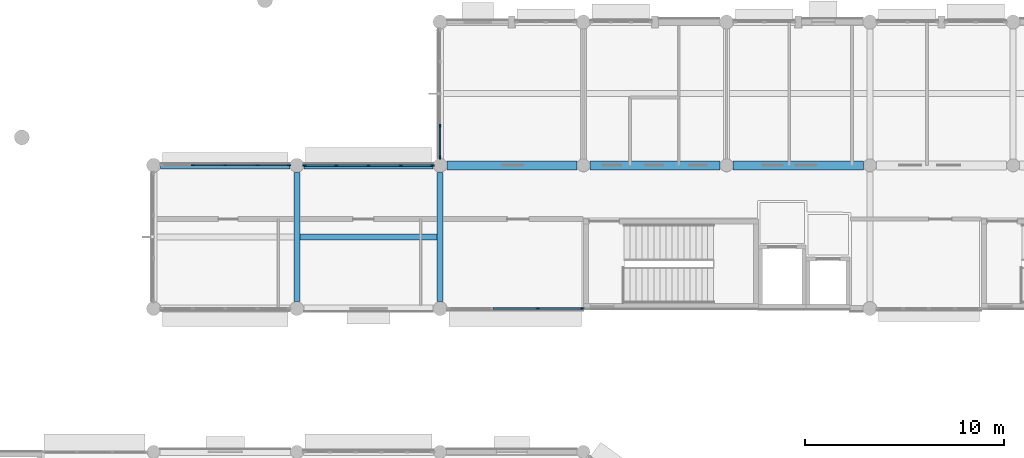
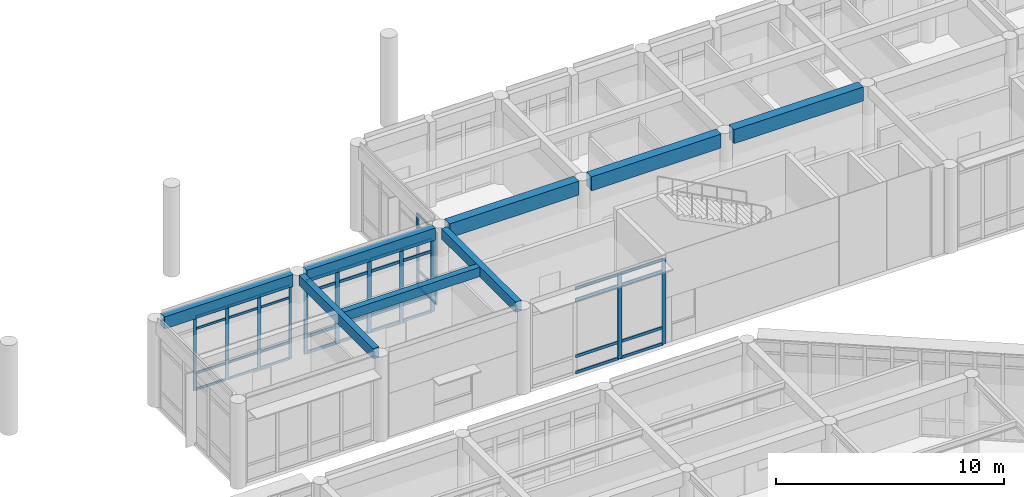
# One storey, part 21 of 92: 53 members, 8 beams, 4 elements without a shape of their own.
"""IFC4 building model written with IfcOpenShell, lengths in metres."""

from ifc_helpers import new_model, si_unit, direction, frame, origin, origin_2d, place, context, subcontext, project, spatial, rectangle, extrude, material, layer, layer_set, material_profile, profile_set, type_object, element, aggregate, save


model = new_model("IFC4")

# Units and contexts
model_context = context("Model", 3, precision=1e-05, world=origin(), true_north=direction((0.0, 1.0)))
body_context = subcontext(model_context, "Body", "Model", "MODEL_VIEW")
ifc_project = project(units=[si_unit("LENGTHUNIT", "METRE"), si_unit("AREAUNIT", "SQUARE_METRE"), si_unit("VOLUMEUNIT", "CUBIC_METRE"), si_unit("PLANEANGLEUNIT", "RADIAN"), si_unit("MASSUNIT", "GRAM", prefix="KILO")], contexts=[model_context])

# Site, building, storey
site_placement = place(None, origin())
site = spatial("IfcSite", under=ifc_project, at=site_placement, CompositionType="ELEMENT")
building_placement = place(site_placement, origin())
building = spatial("IfcBuilding", under=site, at=building_placement, Name="Namkhue Oval Health Centre", CompositionType="ELEMENT")
storey_placement = place(building_placement, frame((0.0, 0.0, 4.800048828125)))
storey = spatial("IfcBuildingStorey", under=building, at=storey_placement, Name="L01", CompositionType="ELEMENT", Elevation=4.800048828125)

# Curtain wall, members
ifc_material_1 = material(Name="Anodised aluminium EN AW-6063 T6", Category="aluminium")
ifc_layer_1 = layer(ifc_material_1, 0.159912109375)
ifc_layer_set_1 = layer_set([ifc_layer_1], Name="Anodised aluminium EN AW-6063 T6")
curtain_wall_type_1 = type_object("IfcCurtainWallType", Name="UNITISED CURTAIN WALL M1500", PredefinedType="NOTDEFINED", material=ifc_layer_set_1)
curtain_wall_1_placement = place(storey_placement, origin())
curtain_wall_1 = element("IfcCurtainWall", 1, at=curtain_wall_1_placement, inside=storey, type_object=curtain_wall_type_1, Name="Volume V2 L01 Unitised Curtain Wall 57", PredefinedType="NOTDEFINED")
ifc_material_profile_1 = material_profile(ifc_material_1, rectangle(XDim=0.06494140625, YDim=0.159912109375, at=origin_2d()), Name="ALU 65x160")
ifc_profile_set_1 = profile_set([ifc_material_profile_1], Name="Anodised aluminium EN AW-6063 T6")
member_type_1 = type_object("IfcMemberType", Name="CURTAIN WALL MULLION 65X160", PredefinedType="MULLION", material=ifc_profile_set_1)
member_1_placement = place(storey_placement, frame((50.39990234375, 99.179931640625, 0.0), z_axis=(0.0, 0.0, 1.0), x_axis=(1.0, 0.0, 0.0)))
member_1 = element("IfcMember", 2, at=member_1_placement, type_object=member_type_1, Name="CW-03 mullion 4", PredefinedType="MULLION", context=body_context, shape_type="SweptSolid", body=[
    extrude(rectangle(XDim=0.06494140625, YDim=0.159912109375, at=origin_2d()), origin(), (0.0, 0.0, 1.0), 3.905029296875),
])
member_2_placement = place(storey_placement, frame((50.39990234375, 97.592529296875, 0.0), z_axis=(0.0, 0.0, 1.0), x_axis=(1.0, 0.0, 0.0)))
member_2 = element("IfcMember", 3, at=member_2_placement, type_object=member_type_1, Name="CW-03 mullion 5", PredefinedType="MULLION", context=body_context, shape_type="SweptSolid", body=[
    extrude(rectangle(XDim=0.06494140625, YDim=0.159912109375, at=origin_2d()), origin(), (0.0, 0.0, 1.0), 3.905029296875),
])

ifc_layer_2 = layer(ifc_material_1, 0.159912109375)
ifc_layer_set_2 = layer_set([ifc_layer_2], Name="Anodised aluminium EN AW-6063 T6")
curtain_wall_type_2 = type_object("IfcCurtainWallType", Name="UNITISED CURTAIN WALL M1800", PredefinedType="NOTDEFINED", material=ifc_layer_set_2)
curtain_wall_2_placement = place(storey_placement, origin())
curtain_wall_2 = element("IfcCurtainWall", 4, at=curtain_wall_2_placement, inside=storey, type_object=curtain_wall_type_2, Name="Volume V2 L01 Unitised Curtain Wall 59", PredefinedType="NOTDEFINED")
member_3_placement = place(storey_placement, frame((42.8076171875, 97.199951171875, 0.0), z_axis=(0.0, 0.0, 1.0), x_axis=(0.0, -1.0, 0.0)))
member_3 = element("IfcMember", 5, at=member_3_placement, type_object=member_type_1, Name="CW-05 mullion 1", PredefinedType="MULLION", context=body_context, shape_type="SweptSolid", body=[
    extrude(rectangle(XDim=0.06494140625, YDim=0.159912109375, at=origin_2d()), origin(), (0.0, 0.0, 1.0), 3.93505859375),
])
member_4_placement = place(storey_placement, frame((41.219970703125, 97.199951171875, 0.0), z_axis=(0.0, 0.0, 1.0), x_axis=(0.0, -1.0, 0.0)))
member_4 = element("IfcMember", 6, at=member_4_placement, type_object=member_type_1, Name="CW-05 mullion 2", PredefinedType="MULLION", context=body_context, shape_type="SweptSolid", body=[
    extrude(rectangle(XDim=0.06494140625, YDim=0.159912109375, at=origin_2d()), origin(), (0.0, 0.0, 1.0), 3.93505859375),
])
member_5_placement = place(storey_placement, frame((39.60009765625, 97.199951171875, 0.0), z_axis=(0.0, 0.0, 1.0), x_axis=(0.0, -1.0, 0.0)))
member_5 = element("IfcMember", 7, at=member_5_placement, type_object=member_type_1, Name="CW-05 mullion 3", PredefinedType="MULLION", context=body_context, shape_type="SweptSolid", body=[
    extrude(rectangle(XDim=0.06494140625, YDim=0.159912109375, at=origin_2d()), origin(), (0.0, 0.0, 1.0), 3.93505859375),
])
member_6_placement = place(storey_placement, frame((37.97998046875, 97.199951171875, 0.0), z_axis=(0.0, 0.0, 1.0), x_axis=(0.0, -1.0, 0.0)))
member_6 = element("IfcMember", 8, at=member_6_placement, type_object=member_type_1, Name="CW-05 mullion 4", PredefinedType="MULLION", context=body_context, shape_type="SweptSolid", body=[
    extrude(rectangle(XDim=0.06494140625, YDim=0.159912109375, at=origin_2d()), origin(), (0.0, 0.0, 1.0), 3.93505859375),
])

ifc_layer_3 = layer(ifc_material_1, 0.159912109375)
ifc_layer_set_3 = layer_set([ifc_layer_3], Name="Anodised aluminium EN AW-6063 T6")
curtain_wall_type_3 = type_object("IfcCurtainWallType", Name="UNITISED CURTAIN WALL M2000", PredefinedType="NOTDEFINED", material=ifc_layer_set_3)
curtain_wall_3_placement = place(storey_placement, origin())
curtain_wall_3 = element("IfcCurtainWall", 9, at=curtain_wall_3_placement, inside=storey, type_object=curtain_wall_type_3, Name="Volume V2 L01 Unitised Curtain Wall 48", PredefinedType="NOTDEFINED")
ifc_material_profile_2 = material_profile(ifc_material_1, rectangle(XDim=0.074951171875, YDim=0.199951171875, at=origin_2d()), Name="ALU 75x200")
ifc_profile_set_2 = profile_set([ifc_material_profile_2], Name="Anodised aluminium EN AW-6063 T6")
member_type_2 = type_object("IfcMemberType", Name="CURTAIN WALL MULLION 75X200", PredefinedType="MULLION", material=ifc_profile_set_2)
member_7_placement = place(storey_placement, frame((55.30859375, 90.0, 0.0), z_axis=(0.0, 0.0, 1.0), x_axis=(0.0, 1.0, 0.0)))
member_7 = element("IfcMember", 10, at=member_7_placement, type_object=member_type_2, Name="CW-06 mullion 3", PredefinedType="MULLION", context=body_context, shape_type="SweptSolid", body=[
    extrude(rectangle(XDim=0.074951171875, YDim=0.199951171875, at=origin_2d()), origin(), (0.0, 0.0, 1.0), 4.554931640625),
])
member_8_placement = place(storey_placement, frame((57.54541015625, 90.0, 0.0), z_axis=(0.0, 0.0, 1.0), x_axis=(0.0, 1.0, 0.0)))
member_8 = element("IfcMember", 11, at=member_8_placement, type_object=member_type_2, Name="CW-06 mullion 4", PredefinedType="MULLION", context=body_context, shape_type="SweptSolid", body=[
    extrude(rectangle(XDim=0.074951171875, YDim=0.199951171875, at=origin_2d()), origin(), (0.0, 0.0, 1.0), 4.554931640625),
])

ifc_layer_4 = layer(ifc_material_1, 0.159912109375)
ifc_layer_set_4 = layer_set([ifc_layer_4], Name="Anodised aluminium EN AW-6063 T6")
curtain_wall_type_4 = type_object("IfcCurtainWallType", Name="UNITISED CURTAIN WALL M1600", PredefinedType="NOTDEFINED", material=ifc_layer_set_4)
curtain_wall_4_placement = place(storey_placement, origin())
curtain_wall_4 = element("IfcCurtainWall", 12, at=curtain_wall_4_placement, inside=storey, type_object=curtain_wall_type_4, Name="Volume V2 L01 Unitised Curtain Wall 58", PredefinedType="NOTDEFINED")
member_9_placement = place(storey_placement, frame((50.00244140625, 97.199951171875, 0.0), z_axis=(0.0, 0.0, 1.0), x_axis=(0.0, -1.0, 0.0)))
member_9 = element("IfcMember", 13, at=member_9_placement, type_object=member_type_2, Name="CW-04 mullion 1", PredefinedType="MULLION", context=body_context, shape_type="SweptSolid", body=[
    extrude(rectangle(XDim=0.074951171875, YDim=0.199951171875, at=origin_2d()), origin(), (0.0, 0.0, 1.0), 3.905029296875),
])
member_10_placement = place(storey_placement, frame((48.419921875, 97.199951171875, 0.0), z_axis=(0.0, 0.0, 1.0), x_axis=(0.0, -1.0, 0.0)))
member_10 = element("IfcMember", 14, at=member_10_placement, type_object=member_type_2, Name="CW-04 mullion 2", PredefinedType="MULLION", context=body_context, shape_type="SweptSolid", body=[
    extrude(rectangle(XDim=0.074951171875, YDim=0.199951171875, at=origin_2d()), origin(), (0.0, 0.0, 1.0), 3.905029296875),
])
member_11_placement = place(storey_placement, frame((46.800048828125, 97.199951171875, 0.0), z_axis=(0.0, 0.0, 1.0), x_axis=(0.0, -1.0, 0.0)))
member_11 = element("IfcMember", 15, at=member_11_placement, type_object=member_type_2, Name="CW-04 mullion 3", PredefinedType="MULLION", context=body_context, shape_type="SweptSolid", body=[
    extrude(rectangle(XDim=0.074951171875, YDim=0.199951171875, at=origin_2d()), origin(), (0.0, 0.0, 1.0), 3.905029296875),
])
member_12_placement = place(storey_placement, frame((45.179931640625, 97.199951171875, 0.0), z_axis=(0.0, 0.0, 1.0), x_axis=(0.0, -1.0, 0.0)))
member_12 = element("IfcMember", 16, at=member_12_placement, type_object=member_type_2, Name="CW-04 mullion 4", PredefinedType="MULLION", context=body_context, shape_type="SweptSolid", body=[
    extrude(rectangle(XDim=0.074951171875, YDim=0.199951171875, at=origin_2d()), origin(), (0.0, 0.0, 1.0), 3.905029296875),
])
member_13_placement = place(storey_placement, frame((43.597412109375, 97.199951171875, 0.0), z_axis=(0.0, 0.0, 1.0), x_axis=(0.0, -1.0, 0.0)))
member_13 = element("IfcMember", 17, at=member_13_placement, type_object=member_type_2, Name="CW-04 mullion 5", PredefinedType="MULLION", context=body_context, shape_type="SweptSolid", body=[
    extrude(rectangle(XDim=0.074951171875, YDim=0.199951171875, at=origin_2d()), origin(), (0.0, 0.0, 1.0), 3.905029296875),
])

# Member
ifc_material_profile_3 = material_profile(ifc_material_1, rectangle(XDim=0.06494140625, YDim=0.1201171875, at=origin_2d()), Name="ALU 65x120")
ifc_profile_set_3 = profile_set([ifc_material_profile_3], Name="Anodised aluminium EN AW-6063 T6")
member_type_3 = type_object("IfcMemberType", Name="CURTAIN WALL TRANSOM 65X120", PredefinedType="USERDEFINED", material=ifc_profile_set_3)
member_14_placement = place(storey_placement, frame((50.39990234375, 99.1474609375, 0.032470703125), z_axis=(0.0, -1.0, 0.0), x_axis=(1.0, 0.0, 0.0)))
member_14 = element("IfcMember", 18, at=member_14_placement, type_object=member_type_3, Name="CW-03 transom 4.1", ObjectType="TRANSOM", PredefinedType="USERDEFINED", context=body_context, shape_type="SweptSolid", body=[
    extrude(rectangle(XDim=0.06494140625, YDim=0.1201171875, at=origin_2d()), origin(), (0.0, 0.0, 1.0), 1.5224609375),
])

member_15_placement = place(storey_placement, frame((50.39990234375, 99.1474609375, 0.89990234375), z_axis=(0.0, -1.0, 0.0), x_axis=(1.0, 0.0, 0.0)))
member_15 = element("IfcMember", 19, at=member_15_placement, type_object=member_type_3, Name="CW-03 transom 4.2", ObjectType="TRANSOM", PredefinedType="USERDEFINED", context=body_context, shape_type="SweptSolid", body=[
    extrude(rectangle(XDim=0.06494140625, YDim=0.1201171875, at=origin_2d()), origin(), (0.0, 0.0, 1.0), 1.5224609375),
])

member_16_placement = place(storey_placement, frame((50.39990234375, 99.1474609375, 3.2548828125), z_axis=(0.0, -1.0, 0.0), x_axis=(1.0, 0.0, 0.0)))
member_16 = element("IfcMember", 20, at=member_16_placement, type_object=member_type_3, Name="CW-03 transom 4.3", ObjectType="TRANSOM", PredefinedType="USERDEFINED", context=body_context, shape_type="SweptSolid", body=[
    extrude(rectangle(XDim=0.06494140625, YDim=0.1201171875, at=origin_2d()), origin(), (0.0, 0.0, 1.0), 1.5224609375),
])

member_17_placement = place(storey_placement, frame((50.39990234375, 99.1474609375, 3.87255859375), z_axis=(0.0, -1.0, 0.0), x_axis=(1.0, 0.0, 0.0)))
member_17 = element("IfcMember", 21, at=member_17_placement, type_object=member_type_3, Name="CW-03 transom 4.4", ObjectType="TRANSOM", PredefinedType="USERDEFINED", context=body_context, shape_type="SweptSolid", body=[
    extrude(rectangle(XDim=0.06494140625, YDim=0.1201171875, at=origin_2d()), origin(), (0.0, 0.0, 1.0), 1.5224609375),
])

aggregate(curtain_wall_1, [member_1, member_2, member_14, member_15, member_16, member_17])

member_18_placement = place(storey_placement, frame((42.77490234375, 97.199951171875, 0.032470703125), z_axis=(-1.0, 0.0, 0.0), x_axis=(0.0, -1.0, 0.0)))
member_18 = element("IfcMember", 22, at=member_18_placement, type_object=member_type_3, Name="CW-05 transom 1.1", ObjectType="TRANSOM", PredefinedType="USERDEFINED", context=body_context, shape_type="SweptSolid", body=[
    extrude(rectangle(XDim=0.06494140625, YDim=0.1201171875, at=origin_2d()), origin(), (0.0, 0.0, 1.0), 1.5224609375),
])

member_19_placement = place(storey_placement, frame((42.77490234375, 97.199951171875, 0.89990234375), z_axis=(-1.0, 0.0, 0.0), x_axis=(0.0, -1.0, 0.0)))
member_19 = element("IfcMember", 23, at=member_19_placement, type_object=member_type_3, Name="CW-05 transom 1.2", ObjectType="TRANSOM", PredefinedType="USERDEFINED", context=body_context, shape_type="SweptSolid", body=[
    extrude(rectangle(XDim=0.06494140625, YDim=0.1201171875, at=origin_2d()), origin(), (0.0, 0.0, 1.0), 1.5224609375),
])

member_20_placement = place(storey_placement, frame((42.77490234375, 97.199951171875, 3.284912109375), z_axis=(-1.0, 0.0, 0.0), x_axis=(0.0, -1.0, 0.0)))
member_20 = element("IfcMember", 24, at=member_20_placement, type_object=member_type_3, Name="CW-05 transom 1.3", ObjectType="TRANSOM", PredefinedType="USERDEFINED", context=body_context, shape_type="SweptSolid", body=[
    extrude(rectangle(XDim=0.06494140625, YDim=0.1201171875, at=origin_2d()), origin(), (0.0, 0.0, 1.0), 1.5224609375),
])

member_21_placement = place(storey_placement, frame((42.77490234375, 97.199951171875, 3.90234375), z_axis=(-1.0, 0.0, 0.0), x_axis=(0.0, -1.0, 0.0)))
member_21 = element("IfcMember", 25, at=member_21_placement, type_object=member_type_3, Name="CW-05 transom 1.4", ObjectType="TRANSOM", PredefinedType="USERDEFINED", context=body_context, shape_type="SweptSolid", body=[
    extrude(rectangle(XDim=0.06494140625, YDim=0.1201171875, at=origin_2d()), origin(), (0.0, 0.0, 1.0), 1.5224609375),
])

member_22_placement = place(storey_placement, frame((41.1875, 97.199951171875, 0.032470703125), z_axis=(-1.0, 0.0, 0.0), x_axis=(0.0, -1.0, 0.0)))
member_22 = element("IfcMember", 26, at=member_22_placement, type_object=member_type_3, Name="CW-05 transom 2.1", ObjectType="TRANSOM", PredefinedType="USERDEFINED", context=body_context, shape_type="SweptSolid", body=[
    extrude(rectangle(XDim=0.06494140625, YDim=0.1201171875, at=origin_2d()), origin(), (0.0, 0.0, 1.0), 1.554931640625),
])

member_23_placement = place(storey_placement, frame((41.1875, 97.199951171875, 0.89990234375), z_axis=(-1.0, 0.0, 0.0), x_axis=(0.0, -1.0, 0.0)))
member_23 = element("IfcMember", 27, at=member_23_placement, type_object=member_type_3, Name="CW-05 transom 2.2", ObjectType="TRANSOM", PredefinedType="USERDEFINED", context=body_context, shape_type="SweptSolid", body=[
    extrude(rectangle(XDim=0.06494140625, YDim=0.1201171875, at=origin_2d()), origin(), (0.0, 0.0, 1.0), 1.554931640625),
])

member_24_placement = place(storey_placement, frame((41.1875, 97.199951171875, 3.284912109375), z_axis=(-1.0, 0.0, 0.0), x_axis=(0.0, -1.0, 0.0)))
member_24 = element("IfcMember", 28, at=member_24_placement, type_object=member_type_3, Name="CW-05 transom 2.3", ObjectType="TRANSOM", PredefinedType="USERDEFINED", context=body_context, shape_type="SweptSolid", body=[
    extrude(rectangle(XDim=0.06494140625, YDim=0.1201171875, at=origin_2d()), origin(), (0.0, 0.0, 1.0), 1.554931640625),
])

member_25_placement = place(storey_placement, frame((41.1875, 97.199951171875, 3.90234375), z_axis=(-1.0, 0.0, 0.0), x_axis=(0.0, -1.0, 0.0)))
member_25 = element("IfcMember", 29, at=member_25_placement, type_object=member_type_3, Name="CW-05 transom 2.4", ObjectType="TRANSOM", PredefinedType="USERDEFINED", context=body_context, shape_type="SweptSolid", body=[
    extrude(rectangle(XDim=0.06494140625, YDim=0.1201171875, at=origin_2d()), origin(), (0.0, 0.0, 1.0), 1.554931640625),
])

member_26_placement = place(storey_placement, frame((39.5673828125, 97.199951171875, 0.032470703125), z_axis=(-1.0, 0.0, 0.0), x_axis=(0.0, -1.0, 0.0)))
member_26 = element("IfcMember", 30, at=member_26_placement, type_object=member_type_3, Name="CW-05 transom 3.1", ObjectType="TRANSOM", PredefinedType="USERDEFINED", context=body_context, shape_type="SweptSolid", body=[
    extrude(rectangle(XDim=0.06494140625, YDim=0.1201171875, at=origin_2d()), origin(), (0.0, 0.0, 1.0), 1.554931640625),
])

member_27_placement = place(storey_placement, frame((39.5673828125, 97.199951171875, 0.89990234375), z_axis=(-1.0, 0.0, 0.0), x_axis=(0.0, -1.0, 0.0)))
member_27 = element("IfcMember", 31, at=member_27_placement, type_object=member_type_3, Name="CW-05 transom 3.2", ObjectType="TRANSOM", PredefinedType="USERDEFINED", context=body_context, shape_type="SweptSolid", body=[
    extrude(rectangle(XDim=0.06494140625, YDim=0.1201171875, at=origin_2d()), origin(), (0.0, 0.0, 1.0), 1.554931640625),
])

member_28_placement = place(storey_placement, frame((39.5673828125, 97.199951171875, 3.284912109375), z_axis=(-1.0, 0.0, 0.0), x_axis=(0.0, -1.0, 0.0)))
member_28 = element("IfcMember", 32, at=member_28_placement, type_object=member_type_3, Name="CW-05 transom 3.3", ObjectType="TRANSOM", PredefinedType="USERDEFINED", context=body_context, shape_type="SweptSolid", body=[
    extrude(rectangle(XDim=0.06494140625, YDim=0.1201171875, at=origin_2d()), origin(), (0.0, 0.0, 1.0), 1.554931640625),
])

member_29_placement = place(storey_placement, frame((39.5673828125, 97.199951171875, 3.90234375), z_axis=(-1.0, 0.0, 0.0), x_axis=(0.0, -1.0, 0.0)))
member_29 = element("IfcMember", 33, at=member_29_placement, type_object=member_type_3, Name="CW-05 transom 3.4", ObjectType="TRANSOM", PredefinedType="USERDEFINED", context=body_context, shape_type="SweptSolid", body=[
    extrude(rectangle(XDim=0.06494140625, YDim=0.1201171875, at=origin_2d()), origin(), (0.0, 0.0, 1.0), 1.554931640625),
])

aggregate(curtain_wall_2, [member_3, member_4, member_5, member_6, member_18, member_19, member_20, member_21, member_22, member_23, member_24, member_25, member_26, member_27, member_28, member_29])

ifc_material_profile_4 = material_profile(ifc_material_1, rectangle(XDim=0.074951171875, YDim=0.14990234375, at=origin_2d()), Name="ALU 75x150")
ifc_profile_set_4 = profile_set([ifc_material_profile_4], Name="Anodised aluminium EN AW-6063 T6")
member_type_4 = type_object("IfcMemberType", Name="CURTAIN WALL TRANSOM 75X150", PredefinedType="USERDEFINED", material=ifc_profile_set_4)
member_30_placement = place(storey_placement, frame((53.07177734375, 90.0, 0.037353515625), z_axis=(1.0, 0.0, 0.0), x_axis=(0.0, 1.0, 0.0)))
member_30 = element("IfcMember", 34, at=member_30_placement, type_object=member_type_4, Name="CW-06 transom 2.1", ObjectType="TRANSOM", PredefinedType="USERDEFINED", context=body_context, shape_type="SweptSolid", body=[
    extrude(rectangle(XDim=0.074951171875, YDim=0.14990234375, at=origin_2d()), origin(), (0.0, 0.0, 1.0), 2.199462890625),
])

member_31_placement = place(storey_placement, frame((53.07177734375, 90.0, 0.89990234375), z_axis=(1.0, 0.0, 0.0), x_axis=(0.0, 1.0, 0.0)))
member_31 = element("IfcMember", 35, at=member_31_placement, type_object=member_type_4, Name="CW-06 transom 2.2", ObjectType="TRANSOM", PredefinedType="USERDEFINED", context=body_context, shape_type="SweptSolid", body=[
    extrude(rectangle(XDim=0.074951171875, YDim=0.14990234375, at=origin_2d()), origin(), (0.0, 0.0, 1.0), 2.199462890625),
])

member_32_placement = place(storey_placement, frame((53.07177734375, 90.0, 3.905029296875), z_axis=(1.0, 0.0, 0.0), x_axis=(0.0, 1.0, 0.0)))
member_32 = element("IfcMember", 36, at=member_32_placement, type_object=member_type_4, Name="CW-06 transom 2.3", ObjectType="TRANSOM", PredefinedType="USERDEFINED", context=body_context, shape_type="SweptSolid", body=[
    extrude(rectangle(XDim=0.074951171875, YDim=0.14990234375, at=origin_2d()), origin(), (0.0, 0.0, 1.0), 2.199462890625),
])

member_33_placement = place(storey_placement, frame((53.07177734375, 90.0, 4.517333984375), z_axis=(1.0, 0.0, 0.0), x_axis=(0.0, 1.0, 0.0)))
member_33 = element("IfcMember", 37, at=member_33_placement, type_object=member_type_4, Name="CW-06 transom 2.4", ObjectType="TRANSOM", PredefinedType="USERDEFINED", context=body_context, shape_type="SweptSolid", body=[
    extrude(rectangle(XDim=0.074951171875, YDim=0.14990234375, at=origin_2d()), origin(), (0.0, 0.0, 1.0), 2.199462890625),
])

member_34_placement = place(storey_placement, frame((55.34619140625, 90.0, 0.037353515625), z_axis=(1.0, 0.0, 0.0), x_axis=(0.0, 1.0, 0.0)))
member_34 = element("IfcMember", 38, at=member_34_placement, type_object=member_type_4, Name="CW-06 transom 3.1", ObjectType="TRANSOM", PredefinedType="USERDEFINED", context=body_context, shape_type="SweptSolid", body=[
    extrude(rectangle(XDim=0.074951171875, YDim=0.14990234375, at=origin_2d()), origin(), (0.0, 0.0, 1.0), 2.161865234375),
])

member_35_placement = place(storey_placement, frame((55.34619140625, 90.0, 0.89990234375), z_axis=(1.0, 0.0, 0.0), x_axis=(0.0, 1.0, 0.0)))
member_35 = element("IfcMember", 39, at=member_35_placement, type_object=member_type_4, Name="CW-06 transom 3.2", ObjectType="TRANSOM", PredefinedType="USERDEFINED", context=body_context, shape_type="SweptSolid", body=[
    extrude(rectangle(XDim=0.074951171875, YDim=0.14990234375, at=origin_2d()), origin(), (0.0, 0.0, 1.0), 2.161865234375),
])

member_36_placement = place(storey_placement, frame((55.34619140625, 90.0, 3.905029296875), z_axis=(1.0, 0.0, 0.0), x_axis=(0.0, 1.0, 0.0)))
member_36 = element("IfcMember", 40, at=member_36_placement, type_object=member_type_4, Name="CW-06 transom 3.3", ObjectType="TRANSOM", PredefinedType="USERDEFINED", context=body_context, shape_type="SweptSolid", body=[
    extrude(rectangle(XDim=0.074951171875, YDim=0.14990234375, at=origin_2d()), origin(), (0.0, 0.0, 1.0), 2.161865234375),
])

member_37_placement = place(storey_placement, frame((55.34619140625, 90.0, 4.517333984375), z_axis=(1.0, 0.0, 0.0), x_axis=(0.0, 1.0, 0.0)))
member_37 = element("IfcMember", 41, at=member_37_placement, type_object=member_type_4, Name="CW-06 transom 3.4", ObjectType="TRANSOM", PredefinedType="USERDEFINED", context=body_context, shape_type="SweptSolid", body=[
    extrude(rectangle(XDim=0.074951171875, YDim=0.14990234375, at=origin_2d()), origin(), (0.0, 0.0, 1.0), 2.161865234375),
])

aggregate(curtain_wall_3, [member_7, member_8, member_30, member_31, member_32, member_33, member_34, member_35, member_36, member_37])

member_38_placement = place(storey_placement, frame((49.965087890625, 97.199951171875, 0.037353515625), z_axis=(-1.0, 0.0, 0.0), x_axis=(0.0, -1.0, 0.0)))
member_38 = element("IfcMember", 42, at=member_38_placement, type_object=member_type_4, Name="CW-04 transom 1.1", ObjectType="TRANSOM", PredefinedType="USERDEFINED", context=body_context, shape_type="SweptSolid", body=[
    extrude(rectangle(XDim=0.074951171875, YDim=0.14990234375, at=origin_2d()), origin(), (0.0, 0.0, 1.0), 1.507568359375),
])

member_39_placement = place(storey_placement, frame((49.965087890625, 97.199951171875, 0.89990234375), z_axis=(-1.0, 0.0, 0.0), x_axis=(0.0, -1.0, 0.0)))
member_39 = element("IfcMember", 43, at=member_39_placement, type_object=member_type_4, Name="CW-04 transom 1.2", ObjectType="TRANSOM", PredefinedType="USERDEFINED", context=body_context, shape_type="SweptSolid", body=[
    extrude(rectangle(XDim=0.074951171875, YDim=0.14990234375, at=origin_2d()), origin(), (0.0, 0.0, 1.0), 1.507568359375),
])

member_40_placement = place(storey_placement, frame((49.965087890625, 97.199951171875, 3.2548828125), z_axis=(-1.0, 0.0, 0.0), x_axis=(0.0, -1.0, 0.0)))
member_40 = element("IfcMember", 44, at=member_40_placement, type_object=member_type_4, Name="CW-04 transom 1.3", ObjectType="TRANSOM", PredefinedType="USERDEFINED", context=body_context, shape_type="SweptSolid", body=[
    extrude(rectangle(XDim=0.074951171875, YDim=0.14990234375, at=origin_2d()), origin(), (0.0, 0.0, 1.0), 1.507568359375),
])

member_41_placement = place(storey_placement, frame((49.965087890625, 97.199951171875, 3.867431640625), z_axis=(-1.0, 0.0, 0.0), x_axis=(0.0, -1.0, 0.0)))
member_41 = element("IfcMember", 45, at=member_41_placement, type_object=member_type_4, Name="CW-04 transom 1.4", ObjectType="TRANSOM", PredefinedType="USERDEFINED", context=body_context, shape_type="SweptSolid", body=[
    extrude(rectangle(XDim=0.074951171875, YDim=0.14990234375, at=origin_2d()), origin(), (0.0, 0.0, 1.0), 1.507568359375),
])

member_42_placement = place(storey_placement, frame((48.382568359375, 97.199951171875, 0.037353515625), z_axis=(-1.0, 0.0, 0.0), x_axis=(0.0, -1.0, 0.0)))
member_42 = element("IfcMember", 46, at=member_42_placement, type_object=member_type_4, Name="CW-04 transom 2.1", ObjectType="TRANSOM", PredefinedType="USERDEFINED", context=body_context, shape_type="SweptSolid", body=[
    extrude(rectangle(XDim=0.074951171875, YDim=0.14990234375, at=origin_2d()), origin(), (0.0, 0.0, 1.0), 1.545166015625),
])

member_43_placement = place(storey_placement, frame((48.382568359375, 97.199951171875, 0.89990234375), z_axis=(-1.0, 0.0, 0.0), x_axis=(0.0, -1.0, 0.0)))
member_43 = element("IfcMember", 47, at=member_43_placement, type_object=member_type_4, Name="CW-04 transom 2.2", ObjectType="TRANSOM", PredefinedType="USERDEFINED", context=body_context, shape_type="SweptSolid", body=[
    extrude(rectangle(XDim=0.074951171875, YDim=0.14990234375, at=origin_2d()), origin(), (0.0, 0.0, 1.0), 1.545166015625),
])

member_44_placement = place(storey_placement, frame((48.382568359375, 97.199951171875, 3.2548828125), z_axis=(-1.0, 0.0, 0.0), x_axis=(0.0, -1.0, 0.0)))
member_44 = element("IfcMember", 48, at=member_44_placement, type_object=member_type_4, Name="CW-04 transom 2.3", ObjectType="TRANSOM", PredefinedType="USERDEFINED", context=body_context, shape_type="SweptSolid", body=[
    extrude(rectangle(XDim=0.074951171875, YDim=0.14990234375, at=origin_2d()), origin(), (0.0, 0.0, 1.0), 1.545166015625),
])

member_45_placement = place(storey_placement, frame((48.382568359375, 97.199951171875, 3.867431640625), z_axis=(-1.0, 0.0, 0.0), x_axis=(0.0, -1.0, 0.0)))
member_45 = element("IfcMember", 49, at=member_45_placement, type_object=member_type_4, Name="CW-04 transom 2.4", ObjectType="TRANSOM", PredefinedType="USERDEFINED", context=body_context, shape_type="SweptSolid", body=[
    extrude(rectangle(XDim=0.074951171875, YDim=0.14990234375, at=origin_2d()), origin(), (0.0, 0.0, 1.0), 1.545166015625),
])

member_46_placement = place(storey_placement, frame((46.762451171875, 97.199951171875, 0.037353515625), z_axis=(-1.0, 0.0, 0.0), x_axis=(0.0, -1.0, 0.0)))
member_46 = element("IfcMember", 50, at=member_46_placement, type_object=member_type_4, Name="CW-04 transom 3.1", ObjectType="TRANSOM", PredefinedType="USERDEFINED", context=body_context, shape_type="SweptSolid", body=[
    extrude(rectangle(XDim=0.074951171875, YDim=0.14990234375, at=origin_2d()), origin(), (0.0, 0.0, 1.0), 1.544921875),
])

member_47_placement = place(storey_placement, frame((46.762451171875, 97.199951171875, 0.89990234375), z_axis=(-1.0, 0.0, 0.0), x_axis=(0.0, -1.0, 0.0)))
member_47 = element("IfcMember", 51, at=member_47_placement, type_object=member_type_4, Name="CW-04 transom 3.2", ObjectType="TRANSOM", PredefinedType="USERDEFINED", context=body_context, shape_type="SweptSolid", body=[
    extrude(rectangle(XDim=0.074951171875, YDim=0.14990234375, at=origin_2d()), origin(), (0.0, 0.0, 1.0), 1.544921875),
])

member_48_placement = place(storey_placement, frame((46.762451171875, 97.199951171875, 3.2548828125), z_axis=(-1.0, 0.0, 0.0), x_axis=(0.0, -1.0, 0.0)))
member_48 = element("IfcMember", 52, at=member_48_placement, type_object=member_type_4, Name="CW-04 transom 3.3", ObjectType="TRANSOM", PredefinedType="USERDEFINED", context=body_context, shape_type="SweptSolid", body=[
    extrude(rectangle(XDim=0.074951171875, YDim=0.14990234375, at=origin_2d()), origin(), (0.0, 0.0, 1.0), 1.544921875),
])

member_49_placement = place(storey_placement, frame((46.762451171875, 97.199951171875, 3.867431640625), z_axis=(-1.0, 0.0, 0.0), x_axis=(0.0, -1.0, 0.0)))
member_49 = element("IfcMember", 53, at=member_49_placement, type_object=member_type_4, Name="CW-04 transom 3.4", ObjectType="TRANSOM", PredefinedType="USERDEFINED", context=body_context, shape_type="SweptSolid", body=[
    extrude(rectangle(XDim=0.074951171875, YDim=0.14990234375, at=origin_2d()), origin(), (0.0, 0.0, 1.0), 1.544921875),
])

member_50_placement = place(storey_placement, frame((45.142578125, 97.199951171875, 0.037353515625), z_axis=(-1.0, 0.0, 0.0), x_axis=(0.0, -1.0, 0.0)))
member_50 = element("IfcMember", 54, at=member_50_placement, type_object=member_type_4, Name="CW-04 transom 4.1", ObjectType="TRANSOM", PredefinedType="USERDEFINED", context=body_context, shape_type="SweptSolid", body=[
    extrude(rectangle(XDim=0.074951171875, YDim=0.14990234375, at=origin_2d()), origin(), (0.0, 0.0, 1.0), 1.507568359375),
])

member_51_placement = place(storey_placement, frame((45.142578125, 97.199951171875, 0.89990234375), z_axis=(-1.0, 0.0, 0.0), x_axis=(0.0, -1.0, 0.0)))
member_51 = element("IfcMember", 55, at=member_51_placement, type_object=member_type_4, Name="CW-04 transom 4.2", ObjectType="TRANSOM", PredefinedType="USERDEFINED", context=body_context, shape_type="SweptSolid", body=[
    extrude(rectangle(XDim=0.074951171875, YDim=0.14990234375, at=origin_2d()), origin(), (0.0, 0.0, 1.0), 1.507568359375),
])

member_52_placement = place(storey_placement, frame((45.142578125, 97.199951171875, 3.2548828125), z_axis=(-1.0, 0.0, 0.0), x_axis=(0.0, -1.0, 0.0)))
member_52 = element("IfcMember", 56, at=member_52_placement, type_object=member_type_4, Name="CW-04 transom 4.3", ObjectType="TRANSOM", PredefinedType="USERDEFINED", context=body_context, shape_type="SweptSolid", body=[
    extrude(rectangle(XDim=0.074951171875, YDim=0.14990234375, at=origin_2d()), origin(), (0.0, 0.0, 1.0), 1.507568359375),
])

member_53_placement = place(storey_placement, frame((45.142578125, 97.199951171875, 3.867431640625), z_axis=(-1.0, 0.0, 0.0), x_axis=(0.0, -1.0, 0.0)))
member_53 = element("IfcMember", 57, at=member_53_placement, type_object=member_type_4, Name="CW-04 transom 4.4", ObjectType="TRANSOM", PredefinedType="USERDEFINED", context=body_context, shape_type="SweptSolid", body=[
    extrude(rectangle(XDim=0.074951171875, YDim=0.14990234375, at=origin_2d()), origin(), (0.0, 0.0, 1.0), 1.507568359375),
])

aggregate(curtain_wall_4, [member_9, member_10, member_11, member_12, member_13, member_38, member_39, member_40, member_41, member_42, member_43, member_44, member_45, member_46, member_47, member_48, member_49, member_50, member_51, member_52, member_53])

# Beams
ifc_material_2 = material(Name="Reinforced concrete C30/37 (TCVN B35)", Category="concrete")
ifc_material_profile_5 = material_profile(ifc_material_2, rectangle(XDim=0.300048828125, YDim=0.550048828125, at=origin_2d()), Name="RC 300x550")
ifc_profile_set_5 = profile_set([ifc_material_profile_5], Name="Reinforced concrete C30/37 (TCVN B35)")
beam_type_1 = type_object("IfcBeamType", Name="FLOOR BEAM RC 300X550", PredefinedType="BEAM", material=ifc_profile_set_5)
for number, where, z_axis, x_axis, name in (
    (58, (43.199951171875, 90.35009765625, 4.31005859375), (0.0, 1.0, 0.0), (-1.0, 0.0, 0.0), "Volume V2 L02 Beam 7/N-O"),
    (59, (50.39990234375, 90.35009765625, 4.280029296875), (0.0, 1.0, 0.0), (-1.0, 0.0, 0.0), "Volume V2 L02 Beam 8/N-O"),
):
    element("IfcBeam", number, at=place(storey_placement, frame(where, z_axis=z_axis, x_axis=x_axis)), inside=storey, type_object=beam_type_1, Name=name, PredefinedType="BEAM", context=body_context, shape_type="SweptSolid", body=[
        extrude(rectangle(XDim=0.300048828125, YDim=0.550048828125, at=origin_2d()), origin(), (0.0, 0.0, 1.0), 6.5),
    ])
ifc_material_3 = material(Name="Reinforced concrete C35/45 (TCVN B40)", Category="concrete")
ifc_material_profile_6 = material_profile(ifc_material_3, rectangle(XDim=0.35009765625, YDim=0.64990234375, at=origin_2d()), Name="RC 350x650")
ifc_profile_set_6 = profile_set([ifc_material_profile_6], Name="Reinforced concrete C35/45 (TCVN B40)")
beam_type_2 = type_object("IfcBeamType", Name="PERIMETER SPANDREL BEAM 350X650", PredefinedType="SPANDREL", material=ifc_profile_set_6)
for number, where, z_axis, x_axis, name in (
    (60, (36.35009765625, 97.199951171875, 4.260009765625), (1.0, 0.0, 0.0), (0.0, 1.0, 0.0), "Volume V2 L02 Girder O/6-7"),
    (61, (43.550048828125, 97.199951171875, 4.22998046875), (1.0, 0.0, 0.0), (0.0, 1.0, 0.0), "Volume V2 L02 Girder O/7-8"),
):
    element("IfcBeam", number, at=place(storey_placement, frame(where, z_axis=z_axis, x_axis=x_axis)), inside=storey, type_object=beam_type_2, Name=name, PredefinedType="SPANDREL", context=body_context, shape_type="SweptSolid", body=[
        extrude(rectangle(XDim=0.35009765625, YDim=0.64990234375, at=origin_2d()), origin(), (0.0, 0.0, 1.0), 6.5),
    ])
ifc_material_profile_7 = material_profile(ifc_material_3, rectangle(XDim=0.449951171875, YDim=0.75, at=origin_2d()), Name="RC 450x750")
ifc_profile_set_7 = profile_set([ifc_material_profile_7], Name="Reinforced concrete C35/45 (TCVN B40)")
beam_type_3 = type_object("IfcBeamType", Name="PRIMARY GIRDER RC 450X750", PredefinedType="USERDEFINED", material=ifc_profile_set_7)
beam_1_placement = place(storey_placement, frame((50.75, 97.199951171875, 4.179931640625), z_axis=(1.0, 0.0, 0.0), x_axis=(0.0, 1.0, 0.0)))
element("IfcBeam", 62, at=beam_1_placement, inside=storey, type_object=beam_type_3, Name="Volume V2 L02 Girder O/8-9", ObjectType="GIRDER", PredefinedType="USERDEFINED", context=body_context, shape_type="SweptSolid", body=[
    extrude(rectangle(XDim=0.449951171875, YDim=0.75, at=origin_2d()), origin(), (0.0, 0.0, 1.0), 6.52490234375),
])
for number, where, z_axis, x_axis, name in (
    (63, (57.925048828125, 97.199951171875, 4.179931640625), (1.0, 0.0, 0.0), (0.0, 1.0, 0.0), "Volume V2 L02 Girder O/9-10"),
    (64, (65.125, 97.199951171875, 4.179931640625), (1.0, 0.0, 0.0), (0.0, 1.0, 0.0), "Volume V2 L02 Girder O/10-11"),
):
    element("IfcBeam", number, at=place(storey_placement, frame(where, z_axis=z_axis, x_axis=x_axis)), inside=storey, type_object=beam_type_3, Name=name, ObjectType="GIRDER", PredefinedType="USERDEFINED", context=body_context, shape_type="SweptSolid", body=[
        extrude(rectangle(XDim=0.449951171875, YDim=0.75, at=origin_2d()), origin(), (0.0, 0.0, 1.0), 6.550048828125),
    ])
ifc_material_profile_8 = material_profile(ifc_material_2, rectangle(XDim=0.300048828125, YDim=0.5, at=origin_2d()), Name="RC 300x500")
ifc_profile_set_8 = profile_set([ifc_material_profile_8], Name="Reinforced concrete C30/37 (TCVN B35)")
beam_type_4 = type_object("IfcBeamType", Name="SECONDARY JOIST RC 300X500", PredefinedType="JOIST", material=ifc_profile_set_8)
beam_2_placement = place(storey_placement, frame((43.35009765625, 93.60009765625, 4.304931640625), z_axis=(1.0, 0.0, 0.0), x_axis=(0.0, 1.0, 0.0)))
element("IfcBeam", 65, at=beam_2_placement, inside=storey, type_object=beam_type_4, Name="Volume V2 L02 Secondary Joist 7-8", PredefinedType="JOIST", context=body_context, shape_type="SweptSolid", body=[
    extrude(rectangle(XDim=0.300048828125, YDim=0.5, at=origin_2d()), origin(), (0.0, 0.0, 1.0), 6.89990234375),
])

save(model, "model.ifc")
